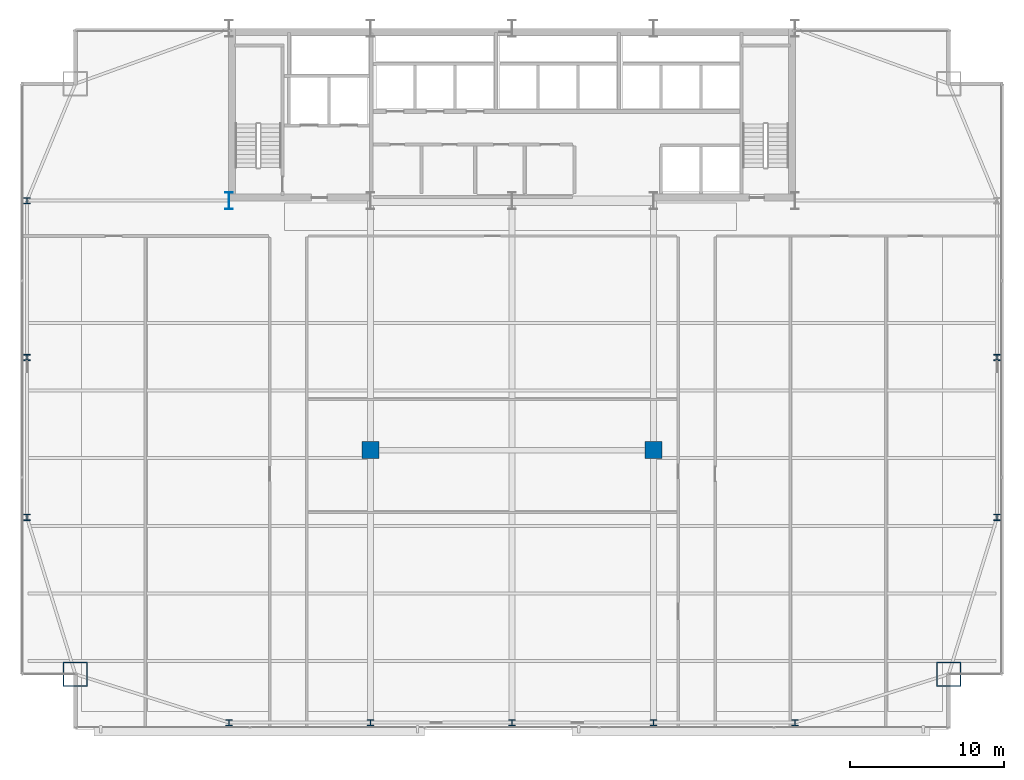
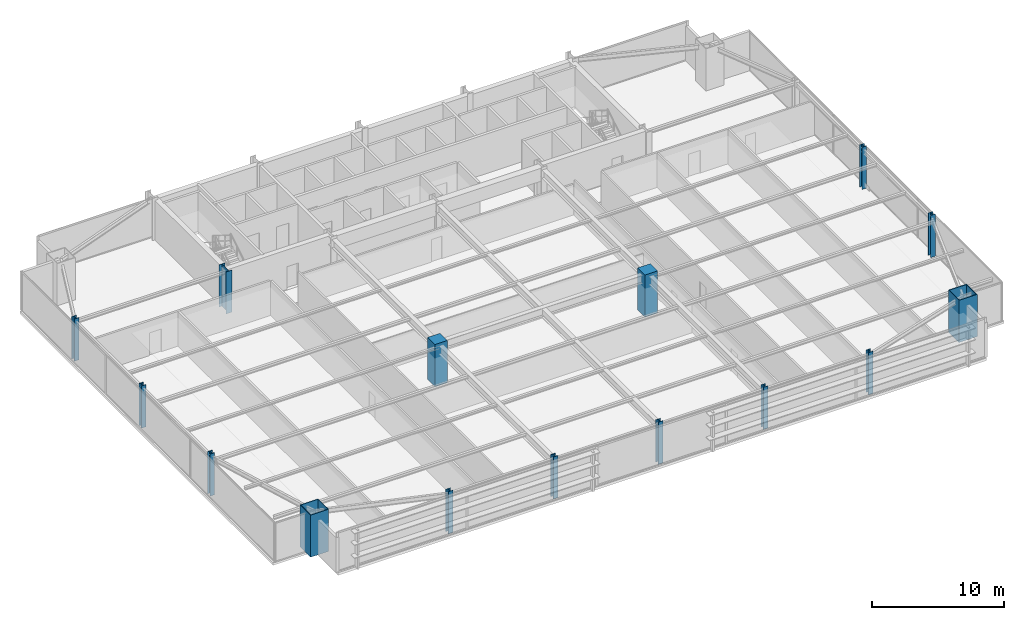
# One storey, part 1 of 32: 15 columns.
"""IFC4 building model written with IfcOpenShell, lengths in metres."""

from ifc_helpers import new_model, si_unit, direction, frame, origin, origin_2d, place, context, subcontext, project, spatial, rectangle, hollow_rectangle, i_section, extrude, source, transform, mapped, material, material_profile, profile_set, type_object, type_shapes, element, save


model = new_model("IFC4")

# Units and contexts
model_context = context("Model", 3, precision=1e-05, world=origin(), true_north=direction((0.0, 1.0)))
body_context = subcontext(model_context, "Body", "Model", "MODEL_VIEW")
ifc_project = project(units=[si_unit("LENGTHUNIT", "METRE"), si_unit("AREAUNIT", "SQUARE_METRE"), si_unit("VOLUMEUNIT", "CUBIC_METRE"), si_unit("PLANEANGLEUNIT", "RADIAN"), si_unit("MASSUNIT", "GRAM", prefix="KILO")], contexts=[model_context])

# Site, building, storey
site_placement = place(None, origin())
site = spatial("IfcSite", under=ifc_project, at=site_placement, CompositionType="ELEMENT")
building_placement = place(site_placement, origin())
building = spatial("IfcBuilding", under=site, at=building_placement, Name="Varnel Quay Broadcast Tower", CompositionType="ELEMENT")
storey_placement = place(building_placement, frame((0.0, 0.0, 70.5)))
storey = spatial("IfcBuildingStorey", under=building, at=storey_placement, Name="L16", CompositionType="ELEMENT", Elevation=70.5)

# Columns
ifc_material_1 = material(Name="Structural Steel CSA G40.21 350WT", Category="steel")
ifc_material_profile_1 = material_profile(ifc_material_1, i_section(OverallWidth=0.5, OverallDepth=1.10009765625, WebThickness=0.01806640625, FlangeThickness=0.031982421875, FilletRadius=0.01806640625, at=origin_2d()), Name="WWF1100X418")
ifc_profile_set_1 = profile_set([ifc_material_profile_1], Name="Structural Steel CSA G40.21 350WT")
column_type_1 = type_object("IfcColumnType", Name="Col_WWF1100X418", PredefinedType="COLUMN", material=ifc_profile_set_1)
shared_shape_1 = source(origin(), body_context, "Body", "SweptSolid", [
    extrude(i_section(OverallWidth=0.5, OverallDepth=1.10009765625, WebThickness=0.01806640625, FlangeThickness=0.031982421875, FilletRadius=0.01806640625, at=origin_2d()), origin(), (0.0, 0.0, 1.0), 3.89990234375),
])
type_shapes(column_type_1, [shared_shape_1])
column_placement = place(storey_placement, frame((15.60009765625, 35.60009765625, 0.0), z_axis=(0.0, 0.0, 1.0), x_axis=(1.0, 0.0, 0.0)))
element("IfcColumn", 1, at=column_placement, inside=storey, type_object=column_type_1, Name="L16 Column CC-S1", PredefinedType="COLUMN", context=body_context, shape_type="MappedRepresentation", body=[
    mapped(shared_shape_1, transform((0.0, 0.0, 0.0), x_axis=(1.0, 0.0, 0.0), y_axis=(0.0, 1.0, 0.0), z_axis=(0.0, 0.0, 1.0), scale=1.0)),
])
ifc_material_profile_2 = material_profile(ifc_material_1, hollow_rectangle(XDim=1.60009765625, YDim=1.60009765625, WallThickness=0.06005859375, at=origin_2d()), Name="BOX1600X1600X60")
ifc_profile_set_2 = profile_set([ifc_material_profile_2], Name="Structural Steel CSA G40.21 350WT")
column_type_2 = type_object("IfcColumnType", Name="Col_BOX1600X1600X60", PredefinedType="COLUMN", material=ifc_profile_set_2)
shared_shape_2 = source(origin(), body_context, "Body", "SweptSolid", [
    extrude(hollow_rectangle(XDim=1.60009765625, YDim=1.60009765625, WallThickness=0.06005859375, at=origin_2d()), origin(), (0.0, 0.0, 1.0), 3.89990234375),
])
type_shapes(column_type_2, [shared_shape_2])
for number, where, z_axis, x_axis, name in (
    (2, (5.60009765625, 4.800048828125, 0.0), (0.0, 0.0, 1.0), (1.0, 0.0, 0.0), "L16 Column MC-SW"),
    (3, (62.39990234375, 4.800048828125, 0.0), (0.0, 0.0, 1.0), (1.0, 0.0, 0.0), "L16 Column MC-SE"),
):
    element("IfcColumn", number, at=place(storey_placement, frame(where, z_axis=z_axis, x_axis=x_axis)), inside=storey, type_object=column_type_2, Name=name, PredefinedType="COLUMN", context=body_context, shape_type="MappedRepresentation", body=[
        mapped(shared_shape_2, transform((0.0, 0.0, 0.0), x_axis=(1.0, 0.0, 0.0), y_axis=(0.0, 1.0, 0.0), z_axis=(0.0, 0.0, 1.0), scale=1.0)),
    ])
ifc_material_2 = material(Name="Structural Steel CSA G40.21 350W", Category="steel")
ifc_material_profile_3 = material_profile(ifc_material_2, i_section(OverallWidth=0.404052734375, OverallDepth=0.406982421875, WebThickness=0.027099609375, FlangeThickness=0.043701171875, FilletRadius=0.01806640625, at=origin_2d()), Name="W360X347")
ifc_profile_set_3 = profile_set([ifc_material_profile_3], Name="Structural Steel CSA G40.21 350W")
column_type_3 = type_object("IfcColumnType", Name="Col_W360X347", PredefinedType="COLUMN", material=ifc_profile_set_3)
shared_shape_3 = source(origin(), body_context, "Body", "SweptSolid", [
    extrude(i_section(OverallWidth=0.404052734375, OverallDepth=0.406982421875, WebThickness=0.027099609375, FlangeThickness=0.043701171875, FilletRadius=0.01806640625, at=origin_2d()), origin(), (0.0, 0.0, 1.0), 3.89990234375),
])
type_shapes(column_type_3, [shared_shape_3])
for number, where, z_axis, x_axis, name in (
    (4, (15.60009765625, 1.64990234375, 0.0), (0.0, 0.0, 1.0), (1.0, 0.0, 0.0), "L16 Column TC-S1"),
    (5, (24.800048828125, 1.64990234375, 0.0), (0.0, 0.0, 1.0), (1.0, 0.0, 0.0), "L16 Column TC-S2"),
    (6, (34.0, 1.64990234375, 0.0), (0.0, 0.0, 1.0), (1.0, 0.0, 0.0), "L16 Column TC-S3"),
    (7, (43.199951171875, 1.64990234375, 0.0), (0.0, 0.0, 1.0), (1.0, 0.0, 0.0), "L16 Column TC-S4"),
    (8, (52.39990234375, 1.64990234375, 0.0), (0.0, 0.0, 1.0), (1.0, 0.0, 0.0), "L16 Column TC-S5"),
    (9, (2.449951171875, 15.0, 0.0), (0.0, 0.0, 1.0), (1.0, 0.0, 0.0), "L16 Column TC-W1"),
    (10, (65.550048828125, 15.0, 0.0), (0.0, 0.0, 1.0), (1.0, 0.0, 0.0), "L16 Column TC-E1"),
    (11, (2.449951171875, 25.39990234375, 0.0), (0.0, 0.0, 1.0), (1.0, 0.0, 0.0), "L16 Column TC-W2"),
    (12, (65.550048828125, 25.39990234375, 0.0), (0.0, 0.0, 1.0), (1.0, 0.0, 0.0), "L16 Column TC-E2"),
    (13, (2.449951171875, 35.60009765625, 0.0), (0.0, 0.0, 1.0), (1.0, 0.0, 0.0), "L16 Column TC-W3"),
):
    element("IfcColumn", number, at=place(storey_placement, frame(where, z_axis=z_axis, x_axis=x_axis)), inside=storey, type_object=column_type_3, Name=name, PredefinedType="COLUMN", context=body_context, shape_type="MappedRepresentation", body=[
        mapped(shared_shape_3, transform((0.0, 0.0, 0.0), x_axis=(1.0, 0.0, 0.0), y_axis=(0.0, 1.0, 0.0), z_axis=(0.0, 0.0, 1.0), scale=1.0)),
    ])
ifc_material_3 = material(Name="Concrete CSA A23.3 C60/75", Category="concrete")
ifc_material_profile_4 = material_profile(ifc_material_3, rectangle(XDim=1.10009765625, YDim=1.10009765625, at=origin_2d()), Name="RC1100X1100")
ifc_profile_set_4 = profile_set([ifc_material_profile_4], Name="Concrete CSA A23.3 C60/75")
column_type_4 = type_object("IfcColumnType", Name="Col_RC1100X1100", PredefinedType="COLUMN", material=ifc_profile_set_4)
shared_shape_4 = source(origin(), body_context, "Body", "SweptSolid", [
    extrude(rectangle(XDim=1.10009765625, YDim=1.10009765625, at=origin_2d()), origin(), (0.0, 0.0, 1.0), 3.89990234375),
])
type_shapes(column_type_4, [shared_shape_4])
for number, where, z_axis, x_axis, name in (
    (14, (24.800048828125, 19.3701171875, 0.0), (0.0, 0.0, 1.0), (1.0, 0.0, 0.0), "L16 Column IC-01"),
    (15, (43.199951171875, 19.3701171875, 0.0), (0.0, 0.0, 1.0), (1.0, 0.0, 0.0), "L16 Column IC-02"),
):
    element("IfcColumn", number, at=place(storey_placement, frame(where, z_axis=z_axis, x_axis=x_axis)), inside=storey, type_object=column_type_4, Name=name, PredefinedType="COLUMN", context=body_context, shape_type="MappedRepresentation", body=[
        mapped(shared_shape_4, transform((0.0, 0.0, 0.0), x_axis=(1.0, 0.0, 0.0), y_axis=(0.0, 1.0, 0.0), z_axis=(0.0, 0.0, 1.0), scale=1.0)),
    ])

save(model, "model.ifc")
